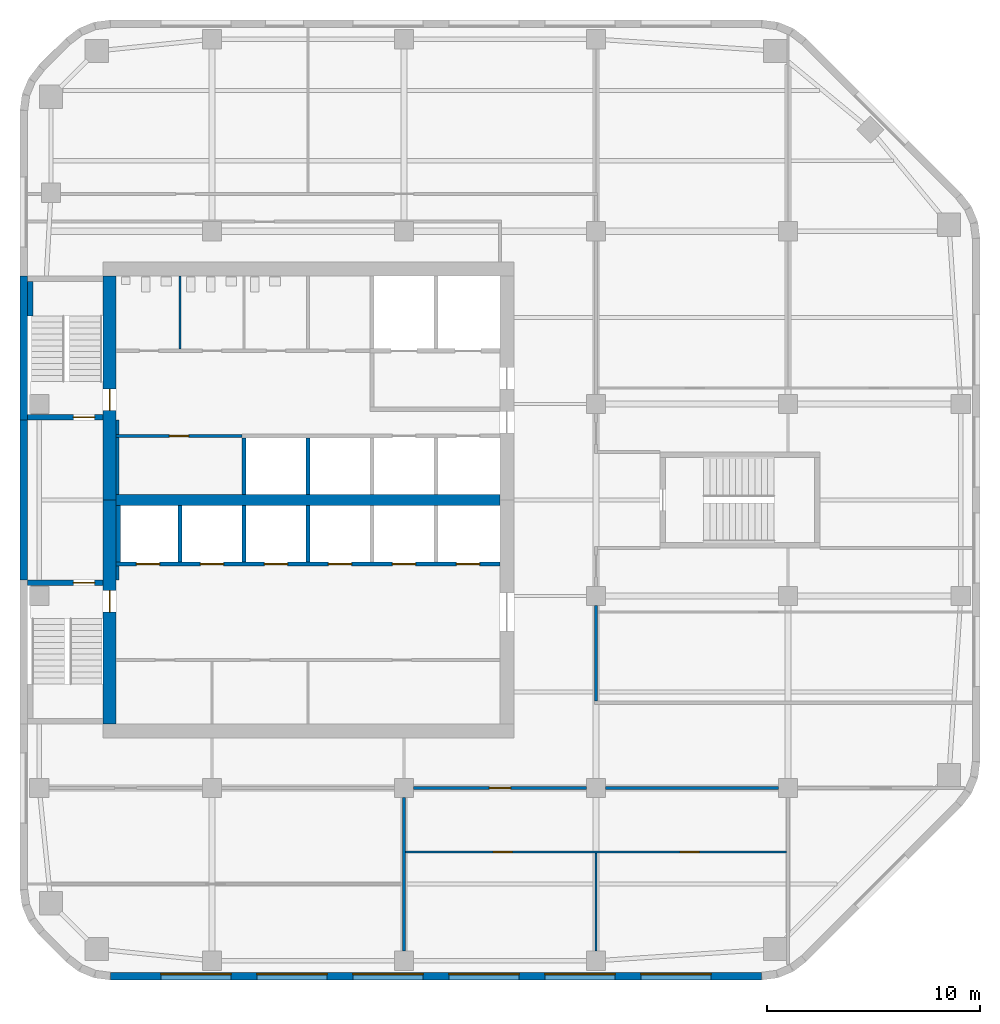
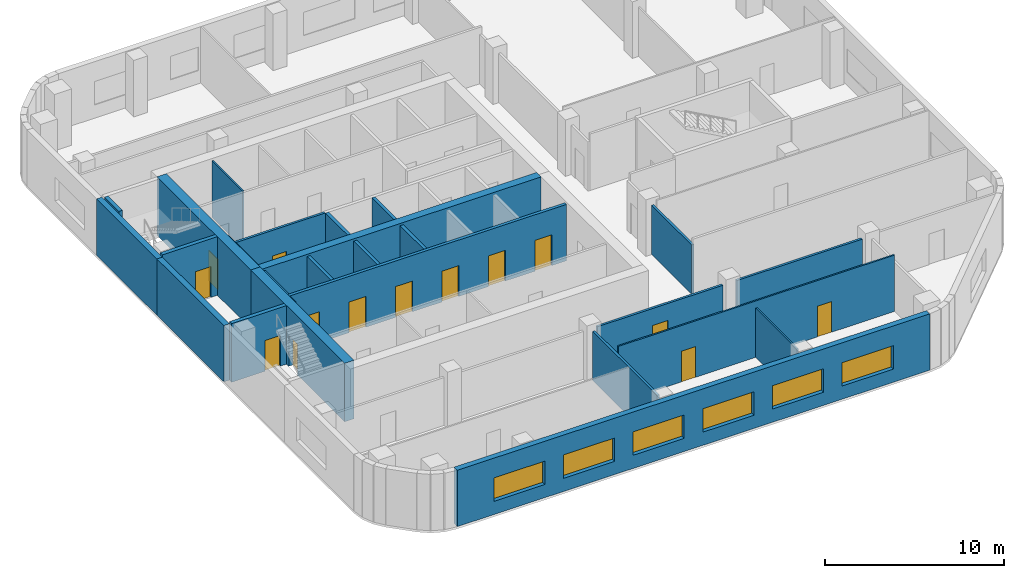
# One storey, part 3 of 8: 27 walls, 14 doors, 6 windows, 20 openings.
"""IFC4 building model written with IfcOpenShell, lengths in metres."""

from ifc_helpers import new_model, si_unit, direction, frame, frame_2d, origin, place, context, subcontext, project, spatial, rectangle, extrude, material, layer, layer_set, type_object, element, fill, save


model = new_model("IFC4")

# Units and contexts
model_context = context("Model", 3, precision=1e-05, world=origin(), true_north=direction((0.0, 1.0)))
body_context = subcontext(model_context, "Body", "Model", "MODEL_VIEW")
ifc_project = project(units=[si_unit("LENGTHUNIT", "METRE"), si_unit("AREAUNIT", "SQUARE_METRE"), si_unit("VOLUMEUNIT", "CUBIC_METRE"), si_unit("PLANEANGLEUNIT", "RADIAN"), si_unit("MASSUNIT", "GRAM", prefix="KILO")], contexts=[model_context])

# Site, building, storey
site_placement = place(None, origin())
site = spatial("IfcSite", under=ifc_project, at=site_placement, CompositionType="ELEMENT")
building_placement = place(site_placement, origin())
building = spatial("IfcBuilding", under=site, at=building_placement, Name="Cinnabar Reach Civic Tower", CompositionType="ELEMENT")
storey_placement = place(building_placement, frame((0.0, 0.0, 185.0)))
storey = spatial("IfcBuildingStorey", under=building, at=storey_placement, Name="L44", CompositionType="ELEMENT", Elevation=185.0)

# Wall, openings, windows
ifc_material_1 = material(Name="Facing brick with insulated backing", Category="masonry")
ifc_layer_1 = layer(ifc_material_1, 0.36)
ifc_layer_set_1 = layer_set([ifc_layer_1], Name="Brick pier and spandrel wall")
wall_type_1 = type_object("IfcWallType", Name="Brick pier and spandrel wall", PredefinedType="STANDARD", material=ifc_layer_set_1)
wall_1_placement = place(storey_placement, frame((4.2426, 9.18, 0.0), z_axis=(0.0, 0.0, 1.0), x_axis=(1.0, 0.0, 0.0)))
wall_1 = element("IfcWall", 1, at=wall_1_placement, inside=storey, type_object=wall_type_1, Name="Brick facade wall", PredefinedType="STANDARD", context=body_context, shape_type="SweptSolid", body=[
    extrude(rectangle(XDim=30.5148, YDim=0.36, at=frame_2d((15.2574, 0.0))), origin(), (0.0, 0.0, 1.0), 3.85),
])
opening_1_placement = place(wall_1_placement, frame((2.3574, 0.0, 0.9)))
opening_1 = element("IfcOpeningElement", 2, at=opening_1_placement, cuts=wall_1, Name="Opening W1901", PredefinedType="OPENING", context=body_context, shape_type="SweptSolid", body=[
    extrude(rectangle(XDim=3.3, YDim=1.6, at=frame_2d((1.65, 0.8))), frame((0.0, 0.19, 0.0), z_axis=(0.0, -1.0, 0.0), x_axis=(1.0, 0.0, 0.0)), (0.0, 0.0, 1.0), 0.38),
])
opening_2_placement = place(wall_1_placement, frame((6.8574, 0.0, 0.9)))
opening_2 = element("IfcOpeningElement", 3, at=opening_2_placement, cuts=wall_1, Name="Opening W1902", PredefinedType="OPENING", context=body_context, shape_type="SweptSolid", body=[
    extrude(rectangle(XDim=3.3, YDim=1.6, at=frame_2d((1.65, 0.8))), frame((0.0, 0.19, 0.0), z_axis=(0.0, -1.0, 0.0), x_axis=(1.0, 0.0, 0.0)), (0.0, 0.0, 1.0), 0.38),
])
opening_3_placement = place(wall_1_placement, frame((11.3574, 0.0, 0.9)))
opening_3 = element("IfcOpeningElement", 4, at=opening_3_placement, cuts=wall_1, Name="Opening W1903", PredefinedType="OPENING", context=body_context, shape_type="SweptSolid", body=[
    extrude(rectangle(XDim=3.3, YDim=1.6, at=frame_2d((1.65, 0.8))), frame((0.0, 0.19, 0.0), z_axis=(0.0, -1.0, 0.0), x_axis=(1.0, 0.0, 0.0)), (0.0, 0.0, 1.0), 0.38),
])
opening_4_placement = place(wall_1_placement, frame((15.8574, 0.0, 0.9)))
opening_4 = element("IfcOpeningElement", 5, at=opening_4_placement, cuts=wall_1, Name="Opening W1904", PredefinedType="OPENING", context=body_context, shape_type="SweptSolid", body=[
    extrude(rectangle(XDim=3.3, YDim=1.6, at=frame_2d((1.65, 0.8))), frame((0.0, 0.19, 0.0), z_axis=(0.0, -1.0, 0.0), x_axis=(1.0, 0.0, 0.0)), (0.0, 0.0, 1.0), 0.38),
])
opening_5_placement = place(wall_1_placement, frame((20.3574, 0.0, 0.9)))
opening_5 = element("IfcOpeningElement", 6, at=opening_5_placement, cuts=wall_1, Name="Opening W1905", PredefinedType="OPENING", context=body_context, shape_type="SweptSolid", body=[
    extrude(rectangle(XDim=3.3, YDim=1.6, at=frame_2d((1.65, 0.8))), frame((0.0, 0.19, 0.0), z_axis=(0.0, -1.0, 0.0), x_axis=(1.0, 0.0, 0.0)), (0.0, 0.0, 1.0), 0.38),
])
opening_6_placement = place(wall_1_placement, frame((24.8574, 0.0, 0.9)))
opening_6 = element("IfcOpeningElement", 7, at=opening_6_placement, cuts=wall_1, Name="Opening W1906", PredefinedType="OPENING", context=body_context, shape_type="SweptSolid", body=[
    extrude(rectangle(XDim=3.3, YDim=1.6, at=frame_2d((1.65, 0.8))), frame((0.0, 0.19, 0.0), z_axis=(0.0, -1.0, 0.0), x_axis=(1.0, 0.0, 0.0)), (0.0, 0.0, 1.0), 0.38),
])
ifc_material_2 = material(Name="Clear double glazing in aluminium frame", Category="aluminium")
window_type = type_object("IfcWindowType", Name="Deep-set window A", PartitioningType="SINGLE_PANEL", PredefinedType="WINDOW", material=ifc_material_2)
window_1_placement = place(opening_1_placement, origin())
window_1 = element("IfcWindow", 8, at=window_1_placement, inside=storey, type_object=window_type, Name="Window south face", OverallHeight=1.6, OverallWidth=3.3, PartitioningType="SINGLE_PANEL", PredefinedType="WINDOW", context=body_context, shape_type="SweptSolid", body=[
    extrude(rectangle(XDim=3.3, YDim=1.6, at=frame_2d((1.65, 0.8))), frame((0.0, 0.13, 0.0), z_axis=(0.0, -1.0, 0.0), x_axis=(1.0, 0.0, 0.0)), (0.0, 0.0, 1.0), 0.06),
])
fill(opening_1, window_1)
window_2_placement = place(opening_2_placement, origin())
window_2 = element("IfcWindow", 9, at=window_2_placement, inside=storey, type_object=window_type, Name="Window south face", OverallHeight=1.6, OverallWidth=3.3, PartitioningType="SINGLE_PANEL", PredefinedType="WINDOW", context=body_context, shape_type="SweptSolid", body=[
    extrude(rectangle(XDim=3.3, YDim=1.6, at=frame_2d((1.65, 0.8))), frame((0.0, 0.13, 0.0), z_axis=(0.0, -1.0, 0.0), x_axis=(1.0, 0.0, 0.0)), (0.0, 0.0, 1.0), 0.06),
])
fill(opening_2, window_2)
window_3_placement = place(opening_3_placement, origin())
window_3 = element("IfcWindow", 10, at=window_3_placement, inside=storey, type_object=window_type, Name="Window south face", OverallHeight=1.6, OverallWidth=3.3, PartitioningType="SINGLE_PANEL", PredefinedType="WINDOW", context=body_context, shape_type="SweptSolid", body=[
    extrude(rectangle(XDim=3.3, YDim=1.6, at=frame_2d((1.65, 0.8))), frame((0.0, 0.13, 0.0), z_axis=(0.0, -1.0, 0.0), x_axis=(1.0, 0.0, 0.0)), (0.0, 0.0, 1.0), 0.06),
])
fill(opening_3, window_3)
window_4_placement = place(opening_4_placement, origin())
window_4 = element("IfcWindow", 11, at=window_4_placement, inside=storey, type_object=window_type, Name="Window south face", OverallHeight=1.6, OverallWidth=3.3, PartitioningType="SINGLE_PANEL", PredefinedType="WINDOW", context=body_context, shape_type="SweptSolid", body=[
    extrude(rectangle(XDim=3.3, YDim=1.6, at=frame_2d((1.65, 0.8))), frame((0.0, 0.13, 0.0), z_axis=(0.0, -1.0, 0.0), x_axis=(1.0, 0.0, 0.0)), (0.0, 0.0, 1.0), 0.06),
])
fill(opening_4, window_4)
window_5_placement = place(opening_5_placement, origin())
window_5 = element("IfcWindow", 12, at=window_5_placement, inside=storey, type_object=window_type, Name="Window south face", OverallHeight=1.6, OverallWidth=3.3, PartitioningType="SINGLE_PANEL", PredefinedType="WINDOW", context=body_context, shape_type="SweptSolid", body=[
    extrude(rectangle(XDim=3.3, YDim=1.6, at=frame_2d((1.65, 0.8))), frame((0.0, 0.13, 0.0), z_axis=(0.0, -1.0, 0.0), x_axis=(1.0, 0.0, 0.0)), (0.0, 0.0, 1.0), 0.06),
])
fill(opening_5, window_5)
window_6_placement = place(opening_6_placement, origin())
window_6 = element("IfcWindow", 13, at=window_6_placement, inside=storey, type_object=window_type, Name="Window south face", OverallHeight=1.6, OverallWidth=3.3, PartitioningType="SINGLE_PANEL", PredefinedType="WINDOW", context=body_context, shape_type="SweptSolid", body=[
    extrude(rectangle(XDim=3.3, YDim=1.6, at=frame_2d((1.65, 0.8))), frame((0.0, 0.13, 0.0), z_axis=(0.0, -1.0, 0.0), x_axis=(1.0, 0.0, 0.0)), (0.0, 0.0, 1.0), 0.06),
])
fill(opening_6, window_6)

# Walls
wall_2_placement = place(storey_placement, frame((0.18, 42.0, 0.0), z_axis=(0.0, 0.0, 1.0), x_axis=(0.0, -1.0, 0.0)))
element("IfcWall", 14, at=wall_2_placement, inside=storey, type_object=wall_type_1, Name="Brick facade wall", PredefinedType="STANDARD", context=body_context, shape_type="SweptSolid", body=[
    extrude(rectangle(XDim=6.75, YDim=0.36, at=frame_2d((3.375, 0.0))), origin(), (0.0, 0.0, 1.0), 3.85),
])
wall_3_placement = place(storey_placement, frame((0.18, 35.25, 0.0), z_axis=(0.0, 0.0, 1.0), x_axis=(0.0, -1.0, 0.0)))
element("IfcWall", 15, at=wall_3_placement, inside=storey, type_object=wall_type_1, Name="Brick facade wall", PredefinedType="STANDARD", context=body_context, shape_type="SweptSolid", body=[
    extrude(rectangle(XDim=7.5, YDim=0.36, at=frame_2d((3.75, 0.0))), origin(), (0.0, 0.0, 1.0), 3.85),
])
ifc_material_3 = material(Name="Concrete C60", Category="concrete")
ifc_layer_2 = layer(ifc_material_3, 0.5)
ifc_layer_set_2 = layer_set([ifc_layer_2], Name="Core wall 500 EI 180")
wall_type_2 = type_object("IfcWallType", Name="Core wall 500 EI 180", PredefinedType="SOLIDWALL", material=ifc_layer_set_2)
wall_4_placement = place(storey_placement, frame((4.5, 31.5, 0.0), z_axis=(0.0, 0.0, 1.0), x_axis=(1.0, 0.0, 0.0)))
element("IfcWall", 16, at=wall_4_placement, inside=storey, type_object=wall_type_2, Name="Core spine wall T1 L44", PredefinedType="SOLIDWALL", context=body_context, shape_type="SweptSolid", body=[
    extrude(rectangle(XDim=18.0, YDim=0.5, at=frame_2d((9.0, 0.0))), origin(), (0.0, 0.0, 1.0), 4.0),
])

# Wall, opening, door
ifc_material_4 = material(Name="Concrete C70", Category="concrete")
ifc_layer_3 = layer(ifc_material_4, 0.6)
ifc_layer_set_3 = layer_set([ifc_layer_3], Name="Core wall 600 EI 180")
wall_type_3 = type_object("IfcWallType", Name="Core wall 600 EI 180", PredefinedType="SOLIDWALL", material=ifc_layer_set_3)
wall_5_placement = place(storey_placement, frame((4.2, 42.0, 0.0), z_axis=(0.0, 0.0, 1.0), x_axis=(0.0, -1.0, 0.0)))
wall_5 = element("IfcWall", 17, at=wall_5_placement, inside=storey, type_object=wall_type_3, Name="Core wall T1 L44 W", PredefinedType="SOLIDWALL", context=body_context, shape_type="SweptSolid", body=[
    extrude(rectangle(XDim=10.5, YDim=0.6, at=frame_2d((5.25, 0.0))), origin(), (0.0, 0.0, 1.0), 4.0),
])
opening_7_placement = place(wall_5_placement, frame((5.3, 0.0, 0.0)))
opening_7 = element("IfcOpeningElement", 18, at=opening_7_placement, cuts=wall_5, Name="Opening D4796", PredefinedType="OPENING", context=body_context, shape_type="SweptSolid", body=[
    extrude(rectangle(XDim=1.0, YDim=2.1, at=frame_2d((0.5, 1.05))), frame((0.0, 0.31, 0.0), z_axis=(0.0, -1.0, 0.0), x_axis=(1.0, 0.0, 0.0)), (0.0, 0.0, 1.0), 0.62),
])
ifc_material_5 = material(Name="Timber door leaf in steel frame", Category="steel")
door_type_1 = type_object("IfcDoorType", Name="Stair door 1000 x 2100 T1", OperationType="SINGLE_SWING_LEFT", PredefinedType="DOOR", material=ifc_material_5)
door_1_placement = place(opening_7_placement, frame((1.0, 0.0, 0.0), z_axis=(0.0, 0.0, 1.0), x_axis=(-1.0, 0.0, 0.0)))
door_1 = element("IfcDoor", 19, at=door_1_placement, inside=storey, type_object=door_type_1, Name="Door D4796", OperationType="SINGLE_SWING_LEFT", OverallHeight=2.1, OverallWidth=1.0, PredefinedType="DOOR", context=body_context, shape_type="SweptSolid", body=[
    extrude(rectangle(XDim=1.0, YDim=2.1, at=frame_2d((0.5, 1.05))), frame((0.0, 0.025, 0.0), z_axis=(0.0, -1.0, 0.0), x_axis=(1.0, 0.0, 0.0)), (0.0, 0.0, 1.0), 0.05),
])
fill(opening_7, door_1)

wall_6_placement = place(storey_placement, frame((4.2, 31.5, 0.0), z_axis=(0.0, 0.0, 1.0), x_axis=(0.0, -1.0, 0.0)))
wall_6 = element("IfcWall", 20, at=wall_6_placement, inside=storey, type_object=wall_type_3, Name="Core wall T1 L44 W2", PredefinedType="SOLIDWALL", context=body_context, shape_type="SweptSolid", body=[
    extrude(rectangle(XDim=10.5, YDim=0.6, at=frame_2d((5.25, 0.0))), origin(), (0.0, 0.0, 1.0), 4.0),
])
opening_8_placement = place(wall_6_placement, frame((4.25, 0.0, 0.0)))
opening_8 = element("IfcOpeningElement", 21, at=opening_8_placement, cuts=wall_6, Name="Opening D4794", PredefinedType="OPENING", context=body_context, shape_type="SweptSolid", body=[
    extrude(rectangle(XDim=1.0, YDim=2.1, at=frame_2d((0.5, 1.05))), frame((0.0, 0.31, 0.0), z_axis=(0.0, -1.0, 0.0), x_axis=(1.0, 0.0, 0.0)), (0.0, 0.0, 1.0), 0.62),
])
door_2_placement = place(opening_8_placement, frame((1.0, 0.0, 0.0), z_axis=(0.0, 0.0, 1.0), x_axis=(-1.0, 0.0, 0.0)))
door_2 = element("IfcDoor", 22, at=door_2_placement, inside=storey, type_object=door_type_1, Name="Door D4794", OperationType="SINGLE_SWING_RIGHT", OverallHeight=2.1, OverallWidth=1.0, PredefinedType="DOOR", context=body_context, shape_type="SweptSolid", body=[
    extrude(rectangle(XDim=1.0, YDim=2.1, at=frame_2d((0.5, 1.05))), frame((0.0, 0.025, 0.0), z_axis=(0.0, -1.0, 0.0), x_axis=(1.0, 0.0, 0.0)), (0.0, 0.0, 1.0), 0.05),
])
fill(opening_8, door_2)

ifc_material_6 = material(Name="Gypsum board on steel studs, double layer", Category="steel")
ifc_layer_4 = layer(ifc_material_6, 0.15)
ifc_layer_set_4 = layer_set([ifc_layer_4], Name="Corridor wall 150 T1")
wall_type_4 = type_object("IfcWallType", Name="Corridor wall 150 T1", PredefinedType="PARTITIONING", material=ifc_layer_set_4)
wall_7_placement = place(storey_placement, frame((18.45, 18.0, 0.0), z_axis=(0.0, 0.0, 1.0), x_axis=(1.0, 0.0, 0.0)))
wall_7 = element("IfcWall", 23, at=wall_7_placement, inside=storey, type_object=wall_type_4, Name="Corridor wall 20", PredefinedType="PARTITIONING", context=body_context, shape_type="SweptSolid", body=[
    extrude(rectangle(XDim=8.1, YDim=0.15, at=frame_2d((4.05, 0.0))), origin(), (0.0, 0.0, 1.0), 3.262),
])
opening_9_placement = place(wall_7_placement, frame((3.55, 0.0, 0.0)))
opening_9 = element("IfcOpeningElement", 24, at=opening_9_placement, cuts=wall_7, Name="Opening D4827", PredefinedType="OPENING", context=body_context, shape_type="SweptSolid", body=[
    extrude(rectangle(XDim=1.0, YDim=2.1, at=frame_2d((0.5, 1.05))), frame((0.0, 0.085, 0.0), z_axis=(0.0, -1.0, 0.0), x_axis=(1.0, 0.0, 0.0)), (0.0, 0.0, 1.0), 0.17),
])
door_type_2 = type_object("IfcDoorType", Name="Tenancy entrance door 1000 x 2100 T1", OperationType="SINGLE_SWING_LEFT", PredefinedType="DOOR", material=ifc_material_5)
door_3_placement = place(opening_9_placement, frame((1.0, 0.0, 0.0), z_axis=(0.0, 0.0, 1.0), x_axis=(-1.0, 0.0, 0.0)))
door_3 = element("IfcDoor", 25, at=door_3_placement, inside=storey, type_object=door_type_2, Name="Door D4827", OperationType="SINGLE_SWING_LEFT", OverallHeight=2.1, OverallWidth=1.0, PredefinedType="DOOR", context=body_context, shape_type="SweptSolid", body=[
    extrude(rectangle(XDim=1.0, YDim=2.1, at=frame_2d((0.5, 1.05))), frame((0.0, 0.025, 0.0), z_axis=(0.0, -1.0, 0.0), x_axis=(1.0, 0.0, 0.0)), (0.0, 0.0, 1.0), 0.05),
])
fill(opening_9, door_3)

# Walls
wall_8_placement = place(storey_placement, frame((27.45, 18.0, 0.0), z_axis=(0.0, 0.0, 1.0), x_axis=(1.0, 0.0, 0.0)))
element("IfcWall", 26, at=wall_8_placement, inside=storey, type_object=wall_type_4, Name="Corridor wall 21", PredefinedType="PARTITIONING", context=body_context, shape_type="SweptSolid", body=[
    extrude(rectangle(XDim=8.1, YDim=0.15, at=frame_2d((4.05, 0.0))), origin(), (0.0, 0.0, 1.0), 3.262),
])
wall_9_placement = place(storey_placement, frame((27.0, 22.075, 0.0), z_axis=(0.0, 0.0, 1.0), x_axis=(0.0, 1.0, 0.0)))
element("IfcWall", 27, at=wall_9_placement, inside=storey, type_object=wall_type_4, Name="Corridor wall 32", PredefinedType="PARTITIONING", context=body_context, shape_type="SweptSolid", body=[
    extrude(rectangle(XDim=4.475, YDim=0.15, at=frame_2d((2.2375, 0.0))), origin(), (0.0, 0.0, 1.0), 3.362),
])

# Wall, opening, door
wall_10_placement = place(storey_placement, frame((4.5, 34.5, 0.0), z_axis=(0.0, 0.0, 1.0), x_axis=(1.0, 0.0, 0.0)))
wall_10 = element("IfcWall", 28, at=wall_10_placement, inside=storey, type_object=wall_type_4, Name="Corridor wall 34", PredefinedType="PARTITIONING", context=body_context, shape_type="SweptSolid", body=[
    extrude(rectangle(XDim=5.9, YDim=0.15, at=frame_2d((2.95, 0.0))), origin(), (0.0, 0.0, 1.0), 3.85),
])
opening_10_placement = place(wall_10_placement, frame((2.5, 0.0, 0.0)))
opening_10 = element("IfcOpeningElement", 29, at=opening_10_placement, cuts=wall_10, Name="Opening D4815", PredefinedType="OPENING", context=body_context, shape_type="SweptSolid", body=[
    extrude(rectangle(XDim=0.9, YDim=2.1, at=frame_2d((0.45, 1.05))), frame((0.0, 0.085, 0.0), z_axis=(0.0, -1.0, 0.0), x_axis=(1.0, 0.0, 0.0)), (0.0, 0.0, 1.0), 0.17),
])
door_type_3 = type_object("IfcDoorType", Name="Single swing door 900 x 2100 corridor T1", OperationType="SINGLE_SWING_LEFT", PredefinedType="DOOR", material=ifc_material_5)
door_4_placement = place(opening_10_placement, frame((0.9, 0.0, 0.0), z_axis=(0.0, 0.0, 1.0), x_axis=(-1.0, 0.0, 0.0)))
door_4 = element("IfcDoor", 30, at=door_4_placement, inside=storey, type_object=door_type_3, Name="Door D4815", OperationType="SINGLE_SWING_LEFT", OverallHeight=2.1, OverallWidth=0.9, PredefinedType="DOOR", context=body_context, shape_type="SweptSolid", body=[
    extrude(rectangle(XDim=0.9, YDim=2.1, at=frame_2d((0.45, 1.05))), frame((0.0, 0.025, 0.0), z_axis=(0.0, -1.0, 0.0), x_axis=(1.0, 0.0, 0.0)), (0.0, 0.0, 1.0), 0.05),
])
fill(opening_10, door_4)

# Walls
wall_11_placement = place(storey_placement, frame((4.575, 34.575, 0.0), z_axis=(0.0, 0.0, 1.0), x_axis=(0.0, 1.0, 0.0)))
element("IfcWall", 31, at=wall_11_placement, inside=storey, type_object=wall_type_4, Name="Corridor wall 35", PredefinedType="PARTITIONING", context=body_context, shape_type="SweptSolid", body=[
    extrude(rectangle(XDim=0.675, YDim=0.15, at=frame_2d((0.3375, 0.0))), origin(), (0.0, 0.0, 1.0), 3.85),
])
wall_12_placement = place(storey_placement, frame((4.575, 31.75, 0.0), z_axis=(0.0, 0.0, 1.0), x_axis=(0.0, 1.0, 0.0)))
element("IfcWall", 32, at=wall_12_placement, inside=storey, type_object=wall_type_4, Name="Corridor wall 36", PredefinedType="PARTITIONING", context=body_context, shape_type="SweptSolid", body=[
    extrude(rectangle(XDim=2.675, YDim=0.15, at=frame_2d((1.3375, 0.0))), origin(), (0.0, 0.0, 1.0), 3.85),
])
wall_13_placement = place(storey_placement, frame((4.575, 27.75, 0.0), z_axis=(0.0, 0.0, 1.0), x_axis=(0.0, 1.0, 0.0)))
element("IfcWall", 33, at=wall_13_placement, inside=storey, type_object=wall_type_4, Name="Corridor wall 40", PredefinedType="PARTITIONING", context=body_context, shape_type="SweptSolid", body=[
    extrude(rectangle(XDim=0.65, YDim=0.15, at=frame_2d((0.325, 0.0))), origin(), (0.0, 0.0, 1.0), 3.85),
])

# Wall, openings, doors
ifc_material_7 = material(Name="Blockwork", Category="masonry")
ifc_layer_5 = layer(ifc_material_7, 0.2)
ifc_layer_set_5 = layer_set([ifc_layer_5], Name="Lift shaft wall 200 T1")
wall_type_5 = type_object("IfcWallType", Name="Lift shaft wall 200 T1", PredefinedType="PARTITIONING", material=ifc_layer_set_5)
wall_14_placement = place(storey_placement, frame((4.5, 28.5, 0.0), z_axis=(0.0, 0.0, 1.0), x_axis=(1.0, 0.0, 0.0)))
wall_14 = element("IfcWall", 34, at=wall_14_placement, inside=storey, type_object=wall_type_5, Name="Lift shaft wall 4", PredefinedType="PARTITIONING", context=body_context, shape_type="SweptSolid", body=[
    extrude(rectangle(XDim=18.0, YDim=0.2, at=frame_2d((9.0, 0.0))), origin(), (0.0, 0.0, 1.0), 3.85),
])
opening_11_placement = place(wall_14_placement, frame((0.95, 0.0, 0.0)))
opening_11 = element("IfcOpeningElement", 35, at=opening_11_placement, cuts=wall_14, Name="Opening D4798", PredefinedType="OPENING", context=body_context, shape_type="SweptSolid", body=[
    extrude(rectangle(XDim=1.1, YDim=2.1, at=frame_2d((0.55, 1.05))), frame((0.0, 0.11, 0.0), z_axis=(0.0, -1.0, 0.0), x_axis=(1.0, 0.0, 0.0)), (0.0, 0.0, 1.0), 0.22),
])
opening_12_placement = place(wall_14_placement, frame((3.95, 0.0, 0.0)))
opening_12 = element("IfcOpeningElement", 36, at=opening_12_placement, cuts=wall_14, Name="Opening D4799", PredefinedType="OPENING", context=body_context, shape_type="SweptSolid", body=[
    extrude(rectangle(XDim=1.1, YDim=2.1, at=frame_2d((0.55, 1.05))), frame((0.0, 0.11, 0.0), z_axis=(0.0, -1.0, 0.0), x_axis=(1.0, 0.0, 0.0)), (0.0, 0.0, 1.0), 0.22),
])
opening_13_placement = place(wall_14_placement, frame((6.95, 0.0, 0.0)))
opening_13 = element("IfcOpeningElement", 37, at=opening_13_placement, cuts=wall_14, Name="Opening D4800", PredefinedType="OPENING", context=body_context, shape_type="SweptSolid", body=[
    extrude(rectangle(XDim=1.1, YDim=2.1, at=frame_2d((0.55, 1.05))), frame((0.0, 0.11, 0.0), z_axis=(0.0, -1.0, 0.0), x_axis=(1.0, 0.0, 0.0)), (0.0, 0.0, 1.0), 0.22),
])
opening_14_placement = place(wall_14_placement, frame((9.95, 0.0, 0.0)))
opening_14 = element("IfcOpeningElement", 38, at=opening_14_placement, cuts=wall_14, Name="Opening D4801", PredefinedType="OPENING", context=body_context, shape_type="SweptSolid", body=[
    extrude(rectangle(XDim=1.1, YDim=2.1, at=frame_2d((0.55, 1.05))), frame((0.0, 0.11, 0.0), z_axis=(0.0, -1.0, 0.0), x_axis=(1.0, 0.0, 0.0)), (0.0, 0.0, 1.0), 0.22),
])
opening_15_placement = place(wall_14_placement, frame((12.95, 0.0, 0.0)))
opening_15 = element("IfcOpeningElement", 39, at=opening_15_placement, cuts=wall_14, Name="Opening D4802", PredefinedType="OPENING", context=body_context, shape_type="SweptSolid", body=[
    extrude(rectangle(XDim=1.1, YDim=2.1, at=frame_2d((0.55, 1.05))), frame((0.0, 0.11, 0.0), z_axis=(0.0, -1.0, 0.0), x_axis=(1.0, 0.0, 0.0)), (0.0, 0.0, 1.0), 0.22),
])
opening_16_placement = place(wall_14_placement, frame((15.95, 0.0, 0.0)))
opening_16 = element("IfcOpeningElement", 40, at=opening_16_placement, cuts=wall_14, Name="Opening D4803", PredefinedType="OPENING", context=body_context, shape_type="SweptSolid", body=[
    extrude(rectangle(XDim=1.1, YDim=2.1, at=frame_2d((0.55, 1.05))), frame((0.0, 0.11, 0.0), z_axis=(0.0, -1.0, 0.0), x_axis=(1.0, 0.0, 0.0)), (0.0, 0.0, 1.0), 0.22),
])
ifc_material_8 = material(Name="Stainless steel sliding door", Category="steel")
door_type_4 = type_object("IfcDoorType", Name="Lift landing door 1100 x 2100 T1", OperationType="SLIDING_TO_LEFT", PredefinedType="DOOR", material=ifc_material_8)
door_5_placement = place(opening_11_placement, origin())
door_5 = element("IfcDoor", 41, at=door_5_placement, inside=storey, type_object=door_type_4, Name="Lift landing door HR1 L44", OperationType="SLIDING_TO_LEFT", OverallHeight=2.1, OverallWidth=1.1, PredefinedType="DOOR", context=body_context, shape_type="SweptSolid", body=[
    extrude(rectangle(XDim=1.1, YDim=2.1, at=frame_2d((0.55, 1.05))), frame((0.0, 0.025, 0.0), z_axis=(0.0, -1.0, 0.0), x_axis=(1.0, 0.0, 0.0)), (0.0, 0.0, 1.0), 0.05),
])
fill(opening_11, door_5)
door_6_placement = place(opening_12_placement, origin())
door_6 = element("IfcDoor", 42, at=door_6_placement, inside=storey, type_object=door_type_4, Name="Lift landing door HR2 L44", OperationType="SLIDING_TO_LEFT", OverallHeight=2.1, OverallWidth=1.1, PredefinedType="DOOR", context=body_context, shape_type="SweptSolid", body=[
    extrude(rectangle(XDim=1.1, YDim=2.1, at=frame_2d((0.55, 1.05))), frame((0.0, 0.025, 0.0), z_axis=(0.0, -1.0, 0.0), x_axis=(1.0, 0.0, 0.0)), (0.0, 0.0, 1.0), 0.05),
])
fill(opening_12, door_6)
door_7_placement = place(opening_13_placement, origin())
door_7 = element("IfcDoor", 43, at=door_7_placement, inside=storey, type_object=door_type_4, Name="Lift landing door HR3 L44", OperationType="SLIDING_TO_LEFT", OverallHeight=2.1, OverallWidth=1.1, PredefinedType="DOOR", context=body_context, shape_type="SweptSolid", body=[
    extrude(rectangle(XDim=1.1, YDim=2.1, at=frame_2d((0.55, 1.05))), frame((0.0, 0.025, 0.0), z_axis=(0.0, -1.0, 0.0), x_axis=(1.0, 0.0, 0.0)), (0.0, 0.0, 1.0), 0.05),
])
fill(opening_13, door_7)
door_8_placement = place(opening_14_placement, origin())
door_8 = element("IfcDoor", 44, at=door_8_placement, inside=storey, type_object=door_type_4, Name="Lift landing door HR4 L44", OperationType="SLIDING_TO_LEFT", OverallHeight=2.1, OverallWidth=1.1, PredefinedType="DOOR", context=body_context, shape_type="SweptSolid", body=[
    extrude(rectangle(XDim=1.1, YDim=2.1, at=frame_2d((0.55, 1.05))), frame((0.0, 0.025, 0.0), z_axis=(0.0, -1.0, 0.0), x_axis=(1.0, 0.0, 0.0)), (0.0, 0.0, 1.0), 0.05),
])
fill(opening_14, door_8)
door_9_placement = place(opening_15_placement, origin())
door_9 = element("IfcDoor", 45, at=door_9_placement, inside=storey, type_object=door_type_4, Name="Lift landing door HR5 L44", OperationType="SLIDING_TO_LEFT", OverallHeight=2.1, OverallWidth=1.1, PredefinedType="DOOR", context=body_context, shape_type="SweptSolid", body=[
    extrude(rectangle(XDim=1.1, YDim=2.1, at=frame_2d((0.55, 1.05))), frame((0.0, 0.025, 0.0), z_axis=(0.0, -1.0, 0.0), x_axis=(1.0, 0.0, 0.0)), (0.0, 0.0, 1.0), 0.05),
])
fill(opening_15, door_9)
door_10_placement = place(opening_16_placement, origin())
door_10 = element("IfcDoor", 46, at=door_10_placement, inside=storey, type_object=door_type_4, Name="Lift landing door HR6 L44", OperationType="SLIDING_TO_LEFT", OverallHeight=2.1, OverallWidth=1.1, PredefinedType="DOOR", context=body_context, shape_type="SweptSolid", body=[
    extrude(rectangle(XDim=1.1, YDim=2.1, at=frame_2d((0.55, 1.05))), frame((0.0, 0.025, 0.0), z_axis=(0.0, -1.0, 0.0), x_axis=(1.0, 0.0, 0.0)), (0.0, 0.0, 1.0), 0.05),
])
fill(opening_16, door_10)

# Walls
for number, where, z_axis, x_axis, name in (
    (47, (10.5, 28.6, 0.0), (0.0, 0.0, 1.0), (0.0, 1.0, 0.0), "Lift shaft wall 6"),
    (48, (10.5, 31.75, 0.0), (0.0, 0.0, 1.0), (0.0, 1.0, 0.0), "Lift shaft wall 7"),
    (49, (13.5, 28.6, 0.0), (0.0, 0.0, 1.0), (0.0, 1.0, 0.0), "Lift shaft wall 8"),
    (50, (13.5, 31.75, 0.0), (0.0, 0.0, 1.0), (0.0, 1.0, 0.0), "Lift shaft wall 9"),
    (51, (4.6, 28.6, 0.0), (0.0, 0.0, 1.0), (0.0, 1.0, 0.0), "Lift shaft wall 16"),
    (52, (7.5, 28.6, 0.0), (0.0, 0.0, 1.0), (0.0, 1.0, 0.0), "Lift shaft wall 17"),
):
    element("IfcWall", number, at=place(storey_placement, frame(where, z_axis=z_axis, x_axis=x_axis)), inside=storey, type_object=wall_type_5, Name=name, PredefinedType="PARTITIONING", context=body_context, shape_type="SweptSolid", body=[
        extrude(rectangle(XDim=2.65, YDim=0.2, at=frame_2d((1.325, 0.0))), origin(), (0.0, 0.0, 1.0), 3.85),
    ])

# Wall, openings, doors
ifc_material_9 = material(Name="Gypsum board on steel studs", Category="steel")
ifc_layer_6 = layer(ifc_material_9, 0.1)
ifc_layer_set_6 = layer_set([ifc_layer_6], Name="Partition wall 100 T1")
wall_type_6 = type_object("IfcWallType", Name="Partition wall 100 T1", PredefinedType="PARTITIONING", material=ifc_layer_set_6)
wall_15_placement = place(storey_placement, frame((18.075, 15.0, 0.0), z_axis=(0.0, 0.0, 1.0), x_axis=(1.0, 0.0, 0.0)))
wall_15 = element("IfcWall", 53, at=wall_15_placement, inside=storey, type_object=wall_type_6, Name="Partition wall 45", PredefinedType="PARTITIONING", context=body_context, shape_type="SweptSolid", body=[
    extrude(rectangle(XDim=17.85, YDim=0.1, at=frame_2d((8.925, 0.0))), origin(), (0.0, 0.0, 1.0), 3.85),
])
opening_17_placement = place(wall_15_placement, frame((4.1, 0.0, 0.0)))
opening_17 = element("IfcOpeningElement", 54, at=opening_17_placement, cuts=wall_15, Name="Opening D4828", PredefinedType="OPENING", context=body_context, shape_type="SweptSolid", body=[
    extrude(rectangle(XDim=0.9, YDim=2.1, at=frame_2d((0.45, 1.05))), frame((0.0, 0.06, 0.0), z_axis=(0.0, -1.0, 0.0), x_axis=(1.0, 0.0, 0.0)), (0.0, 0.0, 1.0), 0.12),
])
opening_18_placement = place(wall_15_placement, frame((12.875, 0.0, 0.0)))
opening_18 = element("IfcOpeningElement", 55, at=opening_18_placement, cuts=wall_15, Name="Opening D4829", PredefinedType="OPENING", context=body_context, shape_type="SweptSolid", body=[
    extrude(rectangle(XDim=0.9, YDim=2.1, at=frame_2d((0.45, 1.05))), frame((0.0, 0.06, 0.0), z_axis=(0.0, -1.0, 0.0), x_axis=(1.0, 0.0, 0.0)), (0.0, 0.0, 1.0), 0.12),
])
door_type_5 = type_object("IfcDoorType", Name="Single swing door 900 x 2100 T1", OperationType="SINGLE_SWING_LEFT", PredefinedType="DOOR", material=ifc_material_5)
door_11_placement = place(opening_17_placement, frame((0.9, 0.0, 0.0), z_axis=(0.0, 0.0, 1.0), x_axis=(-1.0, 0.0, 0.0)))
door_11 = element("IfcDoor", 56, at=door_11_placement, inside=storey, type_object=door_type_5, Name="Door D4828", OperationType="SINGLE_SWING_RIGHT", OverallHeight=2.1, OverallWidth=0.9, PredefinedType="DOOR", context=body_context, shape_type="SweptSolid", body=[
    extrude(rectangle(XDim=0.9, YDim=2.1, at=frame_2d((0.45, 1.05))), frame((0.0, 0.025, 0.0), z_axis=(0.0, -1.0, 0.0), x_axis=(1.0, 0.0, 0.0)), (0.0, 0.0, 1.0), 0.05),
])
fill(opening_17, door_11)
door_12_placement = place(opening_18_placement, frame((0.9, 0.0, 0.0), z_axis=(0.0, 0.0, 1.0), x_axis=(-1.0, 0.0, 0.0)))
door_12 = element("IfcDoor", 57, at=door_12_placement, inside=storey, type_object=door_type_5, Name="Door D4829", OperationType="SINGLE_SWING_LEFT", OverallHeight=2.1, OverallWidth=0.9, PredefinedType="DOOR", context=body_context, shape_type="SweptSolid", body=[
    extrude(rectangle(XDim=0.9, YDim=2.1, at=frame_2d((0.45, 1.05))), frame((0.0, 0.025, 0.0), z_axis=(0.0, -1.0, 0.0), x_axis=(1.0, 0.0, 0.0)), (0.0, 0.0, 1.0), 0.05),
])
fill(opening_18, door_12)

# Walls
wall_16_placement = place(storey_placement, frame((27.0, 10.35, 0.0), z_axis=(0.0, 0.0, 1.0), x_axis=(0.0, 1.0, 0.0)))
element("IfcWall", 58, at=wall_16_placement, inside=storey, type_object=wall_type_6, Name="Partition wall 53", PredefinedType="PARTITIONING", context=body_context, shape_type="SweptSolid", body=[
    extrude(rectangle(XDim=4.6, YDim=0.1, at=frame_2d((2.3, 0.0))), origin(), (0.0, 0.0, 1.0), 3.362),
])
wall_17_placement = place(storey_placement, frame((7.5, 38.575, 0.0), z_axis=(0.0, 0.0, 1.0), x_axis=(0.0, 1.0, 0.0)))
element("IfcWall", 59, at=wall_17_placement, inside=storey, type_object=wall_type_6, Name="Partition wall 54", PredefinedType="PARTITIONING", context=body_context, shape_type="SweptSolid", body=[
    extrude(rectangle(XDim=3.425, YDim=0.1, at=frame_2d((1.7125, 0.0))), origin(), (0.0, 0.0, 1.0), 3.85),
])

# Wall, opening, door
ifc_layer_7 = layer(ifc_material_3, 0.25)
ifc_layer_set_7 = layer_set([ifc_layer_7], Name="Stair shaft wall 250 EI 120")
wall_type_7 = type_object("IfcWallType", Name="Stair shaft wall 250 EI 120", PredefinedType="SOLIDWALL", material=ifc_layer_set_7)
wall_18_placement = place(storey_placement, frame((3.9, 27.625, 0.0), z_axis=(0.0, 0.0, 1.0), x_axis=(-1.0, 0.0, 0.0)))
wall_18 = element("IfcWall", 60, at=wall_18_placement, inside=storey, type_object=wall_type_7, Name="Stair shaft wall T1-S1 L44", PredefinedType="SOLIDWALL", context=body_context, shape_type="SweptSolid", body=[
    extrude(rectangle(XDim=3.54, YDim=0.25, at=frame_2d((1.77, 0.0))), origin(), (0.0, 0.0, 1.0), 4.0),
])
opening_19_placement = place(wall_18_placement, frame((0.4, 0.0, 0.0)))
opening_19 = element("IfcOpeningElement", 61, at=opening_19_placement, cuts=wall_18, Name="Opening D4795", PredefinedType="OPENING", context=body_context, shape_type="SweptSolid", body=[
    extrude(rectangle(XDim=1.0, YDim=2.1, at=frame_2d((0.5, 1.05))), frame((0.0, 0.135, 0.0), z_axis=(0.0, -1.0, 0.0), x_axis=(1.0, 0.0, 0.0)), (0.0, 0.0, 1.0), 0.27),
])
door_13_placement = place(opening_19_placement, origin())
door_13 = element("IfcDoor", 62, at=door_13_placement, inside=storey, type_object=door_type_1, Name="Door D4795", OperationType="SINGLE_SWING_LEFT", OverallHeight=2.1, OverallWidth=1.0, PredefinedType="DOOR", context=body_context, shape_type="SweptSolid", body=[
    extrude(rectangle(XDim=1.0, YDim=2.1, at=frame_2d((0.5, 1.05))), frame((0.0, 0.025, 0.0), z_axis=(0.0, -1.0, 0.0), x_axis=(1.0, 0.0, 0.0)), (0.0, 0.0, 1.0), 0.05),
])
fill(opening_19, door_13)

wall_19_placement = place(storey_placement, frame((0.36, 35.375, 0.0), z_axis=(0.0, 0.0, 1.0), x_axis=(1.0, 0.0, 0.0)))
wall_19 = element("IfcWall", 63, at=wall_19_placement, inside=storey, type_object=wall_type_7, Name="Stair shaft wall T1-S2 L44", PredefinedType="SOLIDWALL", context=body_context, shape_type="SweptSolid", body=[
    extrude(rectangle(XDim=3.54, YDim=0.25, at=frame_2d((1.77, 0.0))), origin(), (0.0, 0.0, 1.0), 4.0),
])
opening_20_placement = place(wall_19_placement, frame((2.14, 0.0, 0.0)))
opening_20 = element("IfcOpeningElement", 64, at=opening_20_placement, cuts=wall_19, Name="Opening D4797", PredefinedType="OPENING", context=body_context, shape_type="SweptSolid", body=[
    extrude(rectangle(XDim=1.0, YDim=2.1, at=frame_2d((0.5, 1.05))), frame((0.0, 0.135, 0.0), z_axis=(0.0, -1.0, 0.0), x_axis=(1.0, 0.0, 0.0)), (0.0, 0.0, 1.0), 0.27),
])
door_14_placement = place(opening_20_placement, origin())
door_14 = element("IfcDoor", 65, at=door_14_placement, inside=storey, type_object=door_type_1, Name="Door D4797", OperationType="SINGLE_SWING_RIGHT", OverallHeight=2.1, OverallWidth=1.0, PredefinedType="DOOR", context=body_context, shape_type="SweptSolid", body=[
    extrude(rectangle(XDim=1.0, YDim=2.1, at=frame_2d((0.5, 1.05))), frame((0.0, 0.025, 0.0), z_axis=(0.0, -1.0, 0.0), x_axis=(1.0, 0.0, 0.0)), (0.0, 0.0, 1.0), 0.05),
])
fill(opening_20, door_14)

# Walls
ifc_material_10 = material(Name="Concrete C40/50", Category="concrete")
ifc_layer_8 = layer(ifc_material_10, 0.24)
ifc_layer_set_8 = layer_set([ifc_layer_8], Name="T1 landing bearer wall 240")
wall_type_8 = type_object("IfcWallType", Name="T1 landing bearer wall 240", PredefinedType="STANDARD", material=ifc_layer_set_8)
wall_20_placement = place(storey_placement, frame((0.48, 40.13, 0.0), z_axis=(0.0, 0.0, 1.0), x_axis=(0.0, 1.0, 0.0)))
element("IfcWall", 66, at=wall_20_placement, inside=storey, type_object=wall_type_8, Name="T1-S2 landing bearer wall", PredefinedType="STANDARD", context=body_context, shape_type="SweptSolid", body=[
    extrude(rectangle(XDim=1.62, YDim=0.24, at=frame_2d((0.81, 0.0))), origin(), (0.0, 0.0, 1.0), 4.0),
])
ifc_layer_9 = layer(ifc_material_6, 0.15)
ifc_layer_set_9 = layer_set([ifc_layer_9], Name="Tenancy separating wall 150 T1")
wall_type_9 = type_object("IfcWallType", Name="Tenancy separating wall 150 T1", PredefinedType="PARTITIONING", material=ifc_layer_set_9)
wall_21_placement = place(storey_placement, frame((18.0, 10.35, 0.0), z_axis=(0.0, 0.0, 1.0), x_axis=(0.0, 1.0, 0.0)))
element("IfcWall", 67, at=wall_21_placement, inside=storey, type_object=wall_type_9, Name="Tenancy separating wall 42", PredefinedType="PARTITIONING", context=body_context, shape_type="SweptSolid", body=[
    extrude(rectangle(XDim=7.2, YDim=0.15, at=frame_2d((3.6, 0.0))), origin(), (0.0, 0.0, 1.0), 3.362),
])

save(model, "model.ifc")
